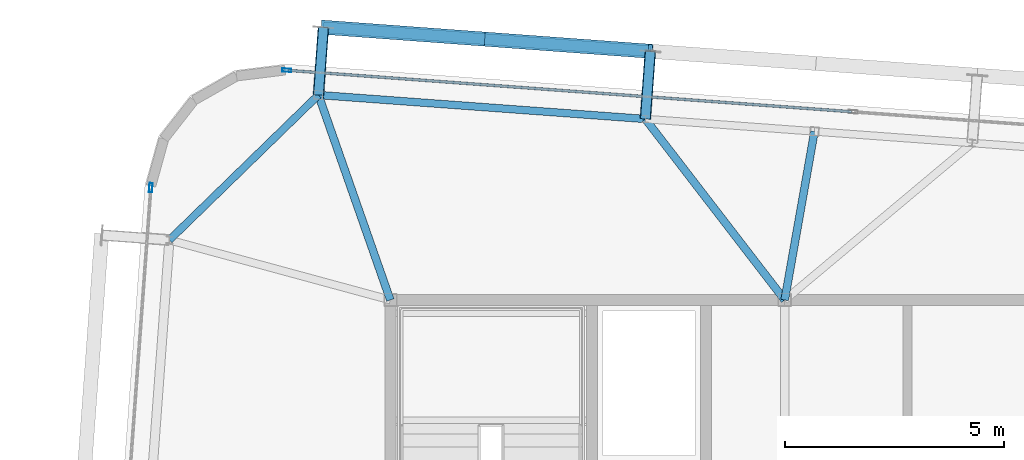
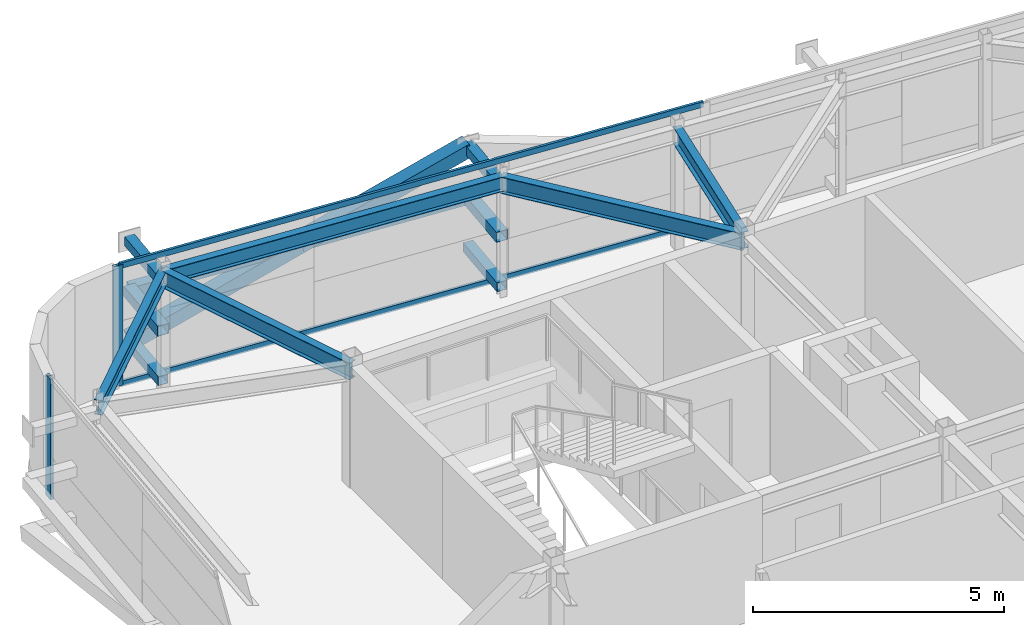
# One storey, part 21 of 37: 13 members, 5 beams, 2 elements without a shape of their own.
"""IFC4 building model written with IfcOpenShell, lengths in metres."""

from ifc_helpers import new_model, si_unit, direction, frame, origin, origin_2d, place, context, subcontext, project, spatial, hollow_rectangle, i_section, extrude, source, transform, mapped, material, layer, layer_set, material_profile, profile_set, type_object, element, aggregate, save


model = new_model("IFC4")

# Units and contexts
model_context = context("Model", 3, precision=1e-05, world=origin(), true_north=direction((0.0, 1.0)))
body_context = subcontext(model_context, "Body", "Model", "MODEL_VIEW")
ifc_project = project(units=[si_unit("LENGTHUNIT", "METRE"), si_unit("AREAUNIT", "SQUARE_METRE"), si_unit("VOLUMEUNIT", "CUBIC_METRE"), si_unit("PLANEANGLEUNIT", "RADIAN"), si_unit("MASSUNIT", "GRAM", prefix="KILO")], contexts=[model_context])

# Site, building, storey
site_placement = place(None, origin())
site = spatial("IfcSite", under=ifc_project, at=site_placement, CompositionType="ELEMENT")
building_placement = place(site_placement, origin())
building = spatial("IfcBuilding", under=site, at=building_placement, Name="Taldren Reach Tower", CompositionType="ELEMENT")
storey_placement = place(building_placement, frame((0.0, 0.0, 211.39990234375)))
storey = spatial("IfcBuildingStorey", under=building, at=storey_placement, Name="L64", CompositionType="ELEMENT", Elevation=211.39990234375)

# Members
ifc_material_1 = material(Name="Steel Gr 350 (C350L0)", Category="steel")
ifc_material_profile_1 = material_profile(ifc_material_1, hollow_rectangle(XDim=0.25, YDim=0.25, WallThickness=0.010009765625, at=origin_2d()), Name="250x250x10.0SHS")
ifc_profile_set_1 = profile_set([ifc_material_profile_1], Name="Steel Gr 350 (C350L0)")
member_type_1 = type_object("IfcMemberType", Name="MB-POST250", PredefinedType="POST", material=ifc_profile_set_1)
shared_shape_1 = source(origin(), body_context, "Body", "SweptSolid", [
    extrude(hollow_rectangle(XDim=0.25, YDim=0.25, WallThickness=0.010009765625, at=origin_2d()), origin(), (0.0, 0.0, 1.0), 1.5498046875),
])
member_1_placement = place(storey_placement, frame((17.35986328125, 36.678955078125, 1.43505859375), z_axis=(0.073250797913, 0.997313551801, 0.0), x_axis=(-0.997313551801, 0.073250797913, 0.0)))
element("IfcMember", 1, at=member_1_placement, inside=storey, type_object=member_type_1, Name="Exoskeleton mid-tier diaphragm tie B5-N1 L64", PredefinedType="POST", context=body_context, shape_type="MappedRepresentation", body=[
    mapped(shared_shape_1, transform((0.0, 0.0, 0.0), scale=1.0)),
])
shared_shape_2 = source(origin(), body_context, "Body", "SweptSolid", [
    extrude(hollow_rectangle(XDim=0.25, YDim=0.25, WallThickness=0.010009765625, at=origin_2d()), origin(), (0.0, 0.0, 1.0), 1.550048828125),
])
member_2_placement = place(storey_placement, frame((24.819580078125, 36.131103515625, 1.43505859375), z_axis=(0.07323929162, 0.997314396849, 0.0), x_axis=(-0.997314396849, 0.07323929162, 0.0)))
element("IfcMember", 2, at=member_2_placement, inside=storey, type_object=member_type_1, Name="Exoskeleton mid-tier diaphragm tie B5-N2 L64", PredefinedType="POST", context=body_context, shape_type="MappedRepresentation", body=[
    mapped(shared_shape_2, transform((0.0, 0.0, 0.0), scale=1.0)),
])
ifc_material_2 = material(Name="Steel Gr 450 (C450L0)", Category="steel")
ifc_material_profile_2 = material_profile(ifc_material_2, hollow_rectangle(XDim=0.219970703125, YDim=0.219970703125, WallThickness=0.00830078125, at=origin_2d()), Name="220x220x8.2SHS")
ifc_profile_set_2 = profile_set([ifc_material_profile_2], Name="Steel Gr 450 (C450L0)")
member_type_2 = type_object("IfcMemberType", Name="MB-TIE219", PredefinedType="STRUT", material=ifc_profile_set_2)
shared_shape_3 = source(origin(), body_context, "Body", "SweptSolid", [
    extrude(hollow_rectangle(XDim=0.219970703125, YDim=0.219970703125, WallThickness=0.00830078125, at=origin_2d()), origin(), (0.0, 0.0, 1.0), 1.5498046875),
])
for number, where, z_axis, x_axis, name in (
    (3, (17.35986328125, 36.678955078125, 2.650146484375), (0.073250797913, 0.997313551801, 0.0), (-0.997313551801, 0.073250797913, 0.0), "Exoskeleton diaphragm tie strut B5-N1 L64"),
    (4, (17.35986328125, 36.678955078125, 0.22021484375), (0.073250797913, 0.997313551801, 0.0), (-0.997313551801, 0.073250797913, 0.0), "Exoskeleton base diaphragm tie strut B5-N1 L64"),
):
    element("IfcMember", number, at=place(storey_placement, frame(where, z_axis=z_axis, x_axis=x_axis)), inside=storey, type_object=member_type_2, Name=name, PredefinedType="STRUT", context=body_context, shape_type="MappedRepresentation", body=[
        mapped(shared_shape_3, transform((0.0, 0.0, 0.0), scale=1.0)),
    ])
shared_shape_4 = source(origin(), body_context, "Body", "SweptSolid", [
    extrude(hollow_rectangle(XDim=0.219970703125, YDim=0.219970703125, WallThickness=0.00830078125, at=origin_2d()), origin(), (0.0, 0.0, 1.0), 1.550048828125),
])
for number, where, z_axis, x_axis, name in (
    (5, (24.819580078125, 36.131103515625, 2.650146484375), (0.07323929162, 0.997314396849, 0.0), (-0.997314396849, 0.07323929162, 0.0), "Exoskeleton diaphragm tie strut B5-N2 L64"),
    (6, (24.819580078125, 36.131103515625, 0.22021484375), (0.07323929162, 0.997314396849, 0.0), (-0.997314396849, 0.07323929162, 0.0), "Exoskeleton base diaphragm tie strut B5-N2 L64"),
):
    element("IfcMember", number, at=place(storey_placement, frame(where, z_axis=z_axis, x_axis=x_axis)), inside=storey, type_object=member_type_2, Name=name, PredefinedType="STRUT", context=body_context, shape_type="MappedRepresentation", body=[
        mapped(shared_shape_4, transform((0.0, 0.0, 0.0), scale=1.0)),
    ])

# Beams
ifc_material_3 = material(Name="Steel Gr 350 (350PLUS)", Category="steel")
ifc_material_profile_3 = material_profile(ifc_material_3, i_section(OverallWidth=0.172119140625, OverallDepth=0.35888671875, WebThickness=0.008056640625, FlangeThickness=0.012939453125, at=origin_2d()), Name="360UB56.7")
ifc_profile_set_3 = profile_set([ifc_material_profile_3], Name="Steel Gr 350 (350PLUS)")
beam_type_1 = type_object("IfcBeamType", Name="SP-UB360", PredefinedType="SPANDREL", material=ifc_profile_set_3)
shared_shape_5 = source(origin(), body_context, "Body", "SweptSolid", [
    extrude(i_section(OverallWidth=0.172119140625, OverallDepth=0.35888671875, WebThickness=0.008056640625, FlangeThickness=0.012939453125, at=origin_2d()), origin(), (0.0, 0.0, 1.0), 7.479736328125),
])
beam_1_placement = place(storey_placement, frame((24.819580078125, 36.131103515625, 2.75048828125), z_axis=(-0.997314045547, 0.073244075215, 0.0), x_axis=(-0.073244075215, -0.997314045547, 0.0)))
element("IfcBeam", 7, at=beam_1_placement, inside=storey, type_object=beam_type_1, Name="Perimeter spandrel B5 N2-N1 L64", PredefinedType="SPANDREL", context=body_context, shape_type="MappedRepresentation", body=[
    mapped(shared_shape_5, transform((0.0, 0.0, 0.0), scale=1.0)),
])
shared_shape_6 = source(origin(), body_context, "Body", "SweptSolid", [
    extrude(i_section(OverallWidth=0.172119140625, OverallDepth=0.35888671875, WebThickness=0.008056640625, FlangeThickness=0.012939453125, at=origin_2d()), origin(), (0.0, 0.0, 1.0), 4.74609375),
])
beam_2_placement = place(storey_placement, frame((17.35986328125, 36.678955078125, 2.75048828125), z_axis=(-0.716711338436, -0.697369957309, 0.0), x_axis=(0.697369957309, -0.716711338436, 0.0)))
element("IfcBeam", 8, at=beam_2_placement, inside=storey, type_object=beam_type_1, Name="Perimeter spandrel B5 N1-W3 L64", PredefinedType="SPANDREL", context=body_context, shape_type="MappedRepresentation", body=[
    mapped(shared_shape_6, transform((0.0, 0.0, 0.0), scale=1.0)),
])
ifc_material_profile_4 = material_profile(ifc_material_3, i_section(OverallWidth=0.177978515625, OverallDepth=0.406005859375, WebThickness=0.0078125, FlangeThickness=0.0126953125, at=origin_2d()), Name="410UB59.7")
ifc_profile_set_4 = profile_set([ifc_material_profile_4], Name="Steel Gr 350 (350PLUS)")
beam_type_2 = type_object("IfcBeamType", Name="BM-UB410", PredefinedType="BEAM", material=ifc_profile_set_4)
shared_shape_7 = source(origin(), body_context, "Body", "SweptSolid", [
    extrude(i_section(OverallWidth=0.177978515625, OverallDepth=0.406005859375, WebThickness=0.0078125, FlangeThickness=0.0126953125, at=origin_2d()), origin(), (0.0, 0.0, 1.0), 3.9072265625),
])
beam_3_placement = place(storey_placement, frame((28.0, 32.0, 2.72705078125), z_axis=(0.173835238379, 0.984774750843, 0.0), x_axis=(-0.984774750843, 0.173835238379, 0.0)))
element("IfcBeam", 9, at=beam_3_placement, inside=storey, type_object=beam_type_2, Name="Primary floor girder B5-PJN1 L64", PredefinedType="BEAM", context=body_context, shape_type="MappedRepresentation", body=[
    mapped(shared_shape_7, transform((0.0, 0.0, 0.0), scale=1.0)),
])
shared_shape_8 = source(origin(), body_context, "Body", "SweptSolid", [
    extrude(i_section(OverallWidth=0.177978515625, OverallDepth=0.406005859375, WebThickness=0.0078125, FlangeThickness=0.0126953125, at=origin_2d()), origin(), (0.0, 0.0, 1.0), 5.213623046875),
])
beam_4_placement = place(storey_placement, frame((28.0, 32.0, 2.72705078125), z_axis=(-0.61002980411, 0.792378468976, 0.0), x_axis=(-0.792378468976, -0.61002980411, 0.0)))
element("IfcBeam", 10, at=beam_4_placement, inside=storey, type_object=beam_type_2, Name="Primary floor girder B5-N2 L64", PredefinedType="BEAM", context=body_context, shape_type="MappedRepresentation", body=[
    mapped(shared_shape_8, transform((0.0, 0.0, 0.0), scale=1.0)),
])
shared_shape_9 = source(origin(), body_context, "Body", "SweptSolid", [
    extrude(i_section(OverallWidth=0.177978515625, OverallDepth=0.406005859375, WebThickness=0.0078125, FlangeThickness=0.0126953125, at=origin_2d()), origin(), (0.0, 0.0, 1.0), 4.9580078125),
])
beam_5_placement = place(storey_placement, frame((19.0, 32.0, 2.72705078125), z_axis=(-0.330800025288, 0.943700875951, 0.0), x_axis=(-0.943700875951, -0.330800025288, 0.0)))
element("IfcBeam", 11, at=beam_5_placement, inside=storey, type_object=beam_type_2, Name="Primary floor girder B5-N1 L64", PredefinedType="BEAM", context=body_context, shape_type="MappedRepresentation", body=[
    mapped(shared_shape_9, transform((0.0, 0.0, 0.0), scale=1.0)),
])

# Members
ifc_material_profile_5 = material_profile(ifc_material_2, hollow_rectangle(XDim=0.324951171875, YDim=0.324951171875, WallThickness=0.0126953125, at=origin_2d()), Name="325x325x12.7SHS")
ifc_profile_set_5 = profile_set([ifc_material_profile_5], Name="Steel Gr 450 (C450L0)")
member_type_3 = type_object("IfcMemberType", Name="MB-BR324", PredefinedType="BRACE", material=ifc_profile_set_5)
shared_shape_10 = source(origin(), body_context, "Body", "SweptSolid", [
    extrude(hollow_rectangle(XDim=0.324951171875, YDim=0.324951171875, WallThickness=0.0126953125, at=origin_2d()), origin(), (0.0, 0.0, 1.0), 3.932373046875),
])
member_3_placement = place(storey_placement, frame((17.473388671875, 38.224609375, 0.22021484375), z_axis=(0.948529326954, -0.06965898055, 0.308933232813), x_axis=(0.07324169103, 0.997314220642, 0.0)))
element("IfcMember", 12, at=member_3_placement, inside=storey, type_object=member_type_3, Name="Exoskeleton Diagrid Brace B5-N1 L64", PredefinedType="BRACE", context=body_context, shape_type="MappedRepresentation", body=[
    mapped(shared_shape_10, transform((0.0, 0.0, 0.0), scale=1.0)),
])
shared_shape_11 = source(origin(), body_context, "Body", "SweptSolid", [
    extrude(hollow_rectangle(XDim=0.324951171875, YDim=0.324951171875, WallThickness=0.0126953125, at=origin_2d()), origin(), (0.0, 0.0, 1.0), 3.93212890625),
])
member_4_placement = place(storey_placement, frame((21.203369140625, 37.95068359375, 1.43505859375), z_axis=(0.948509004245, -0.069599960317, 0.309008922833), x_axis=(0.073181527281, 0.997318637179, 0.0)))
element("IfcMember", 13, at=member_4_placement, inside=storey, type_object=member_type_3, Name="Exoskeleton Diagrid Brace B5-N1 L64", PredefinedType="BRACE", context=body_context, shape_type="MappedRepresentation", body=[
    mapped(shared_shape_11, transform((0.0, 0.0, 0.0), scale=1.0)),
])
shared_shape_12 = source(origin(), body_context, "Body", "SweptSolid", [
    extrude(hollow_rectangle(XDim=0.25, YDim=0.25, WallThickness=0.010009765625, at=origin_2d()), origin(), (0.0, 0.0, 1.0), 7.479736328125),
])
member_5_placement = place(storey_placement, frame((17.473388671875, 38.224609375, 1.43505859375), z_axis=(0.997316429287, -0.07321161024, 0.0), x_axis=(0.07321161024, 0.997316429287, 0.0)))
element("IfcMember", 14, at=member_5_placement, inside=storey, type_object=member_type_1, Name="Exoskeleton mid-height ring chord B5-N1 L64", PredefinedType="POST", context=body_context, shape_type="MappedRepresentation", body=[
    mapped(shared_shape_12, transform((0.0, 0.0, 0.0), scale=1.0)),
])

# Curtain wall, member
ifc_material_4 = material(Name="Aluminium and Low-E Glass Unitised System", Category="aluminium")
ifc_layer = layer(ifc_material_4, 0.159912109375)
ifc_layer_set = layer_set([ifc_layer], Name="Aluminium and Low-E Glass Unitised System")
curtain_wall_type = type_object("IfcCurtainWallType", Name="CW-SYS-6", PredefinedType="NOTDEFINED", material=ifc_layer_set)
curtain_wall_1_placement = place(storey_placement, origin())
curtain_wall_1 = element("IfcCurtainWall", 15, at=curtain_wall_1_placement, inside=storey, type_object=curtain_wall_type, Name="Unitised curtain wall CW-L64-N", PredefinedType="NOTDEFINED")
ifc_material_5 = material(Name="Anodised Aluminium 6063-T6", Category="aluminium")
ifc_material_profile_6 = material_profile(ifc_material_5, hollow_rectangle(XDim=0.074951171875, YDim=0.2099609375, WallThickness=0.00439453125, at=origin_2d()), Name="ALU-210x75x4.5RHS")
ifc_profile_set_6 = profile_set([ifc_material_profile_6], Name="Anodised Aluminium 6063-T6")
member_type_4 = type_object("IfcMemberType", Name="CW-MUL-200", PredefinedType="MULLION", material=ifc_profile_set_6)
shared_shape_13 = source(origin(), body_context, "Body", "SweptSolid", [
    extrude(hollow_rectangle(XDim=0.074951171875, YDim=0.2099609375, WallThickness=0.00439453125, at=origin_2d()), origin(), (0.0, 0.0, 1.0), 2.93017578125),
])
member_6_placement = place(storey_placement, frame((16.63671875, 37.243408203125, 0.0), z_axis=(0.0, 0.0, 1.0), x_axis=(-0.073238213716, -0.997314476006, 0.0)))
member_6 = element("IfcMember", 16, at=member_6_placement, type_object=member_type_4, Name="CW-6 mullion 4", PredefinedType="MULLION", context=body_context, shape_type="MappedRepresentation", body=[
    mapped(shared_shape_13, transform((0.0, 0.0, 0.0), scale=1.0)),
])

curtain_wall_2_placement = place(storey_placement, origin())
curtain_wall_2 = element("IfcCurtainWall", 17, at=curtain_wall_2_placement, inside=storey, type_object=curtain_wall_type, Name="Unitised curtain wall CW-L64-W", PredefinedType="NOTDEFINED")
member_7_placement = place(storey_placement, frame((13.53466796875, 34.56591796875, 0.0), z_axis=(0.0, 0.0, 1.0), x_axis=(0.997314470951, -0.073238282558, 0.0)))
member_7 = element("IfcMember", 18, at=member_7_placement, type_object=member_type_4, Name="CW-6 mullion 1", PredefinedType="MULLION", context=body_context, shape_type="MappedRepresentation", body=[
    mapped(shared_shape_13, transform((0.0, 0.0, 0.0), scale=1.0)),
])
aggregate(curtain_wall_2, [member_7])

# Member
ifc_material_profile_7 = material_profile(ifc_material_5, hollow_rectangle(XDim=0.06005859375, YDim=0.135009765625, WallThickness=0.00341796875, at=origin_2d()), Name="ALU-135x60x3.5RHS")
ifc_profile_set_7 = profile_set([ifc_material_profile_7], Name="Anodised Aluminium 6063-T6")
member_type_5 = type_object("IfcMemberType", Name="CW-TRN-150", PredefinedType="USERDEFINED", material=ifc_profile_set_7)
shared_shape_14 = source(origin(), body_context, "Body", "SweptSolid", [
    extrude(hollow_rectangle(XDim=0.06005859375, YDim=0.135009765625, WallThickness=0.00341796875, at=origin_2d()), origin(), (0.0, 0.0, 1.0), 12.887451171875),
])
member_8_placement = place(storey_placement, frame((29.52685546875, 36.296630859375, 0.030029296875), z_axis=(-0.997314487101, 0.07323806263, 0.0), x_axis=(-0.07323806263, -0.997314487101, 0.0)))
member_8 = element("IfcMember", 19, at=member_8_placement, type_object=member_type_5, Name="CW-6 transom 3.1", ObjectType="TRANSOM", PredefinedType="USERDEFINED", context=body_context, shape_type="MappedRepresentation", body=[
    mapped(shared_shape_14, transform((0.0, 0.0, 0.0), scale=1.0)),
])

member_9_placement = place(storey_placement, frame((29.52685546875, 36.296630859375, 2.900146484375), z_axis=(-0.997314487101, 0.07323806263, 0.0), x_axis=(-0.07323806263, -0.997314487101, 0.0)))
member_9 = element("IfcMember", 20, at=member_9_placement, type_object=member_type_5, Name="CW-6 transom 3.2", ObjectType="TRANSOM", PredefinedType="USERDEFINED", context=body_context, shape_type="MappedRepresentation", body=[
    mapped(shared_shape_14, transform((0.0, 0.0, 0.0), scale=1.0)),
])

aggregate(curtain_wall_1, [member_6, member_8, member_9])

save(model, "model.ifc")
